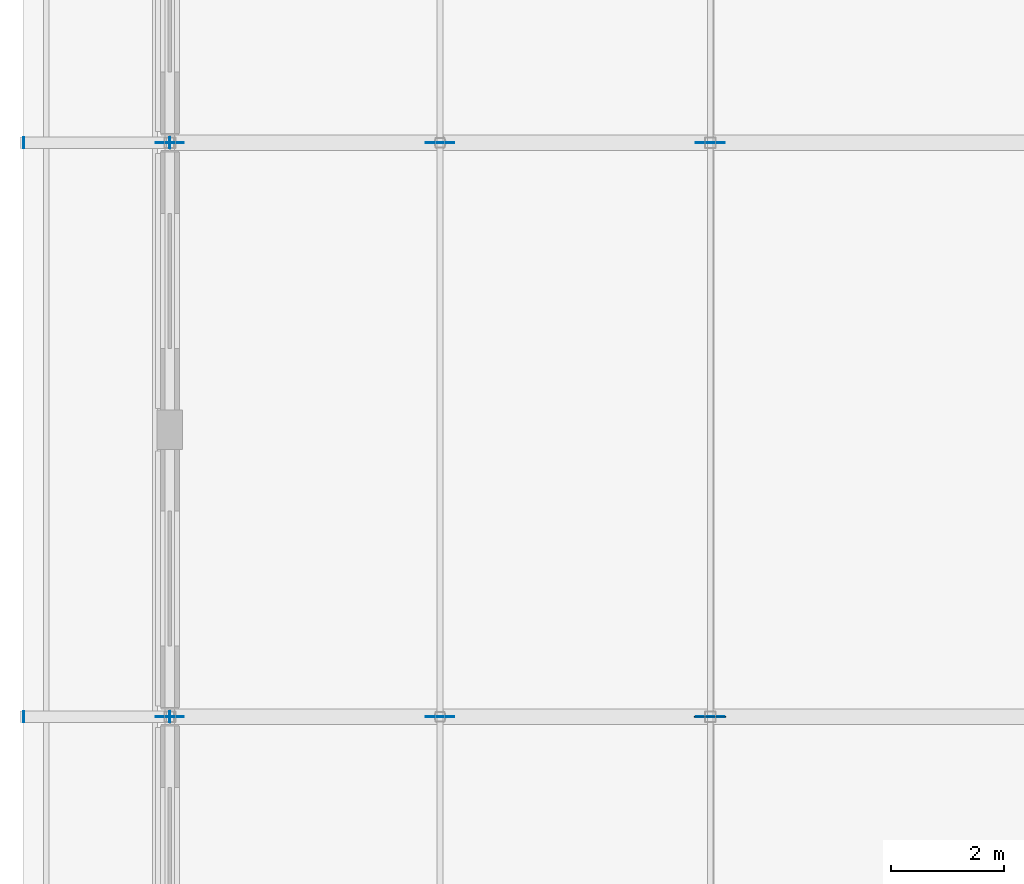
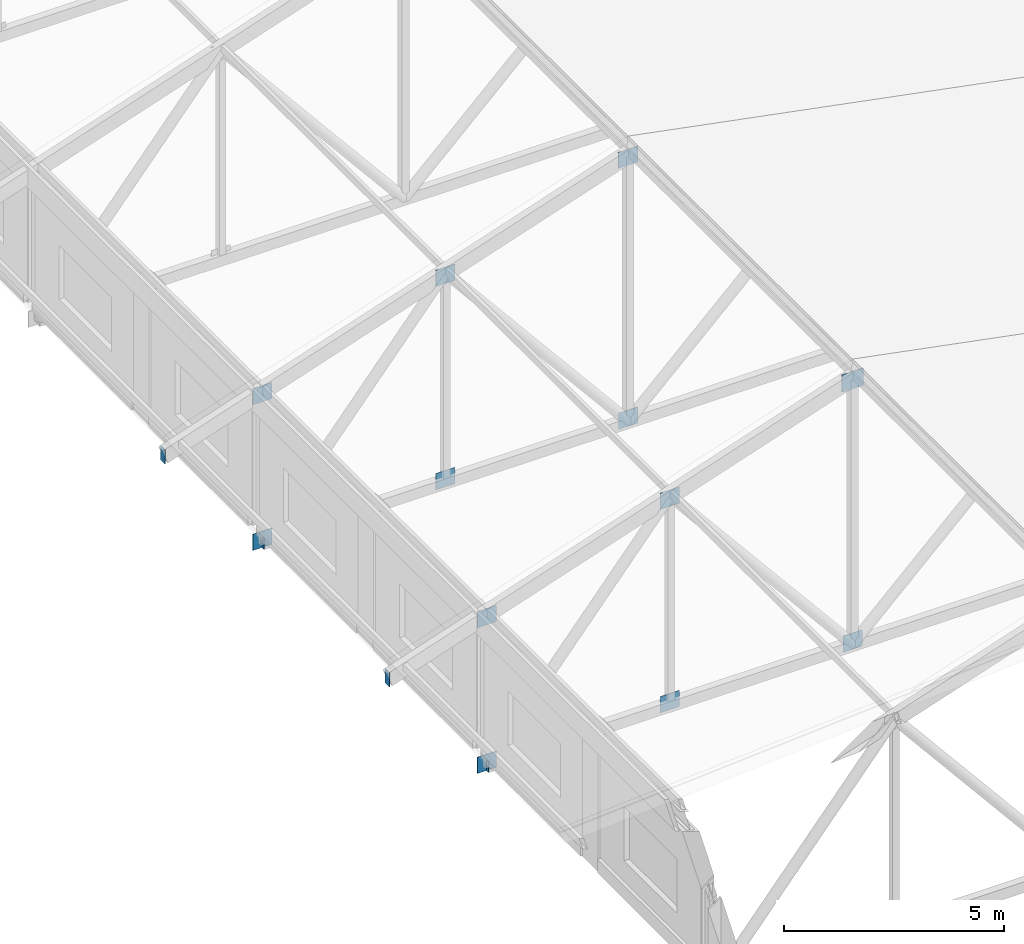
# One storey, part 155 of 200: 16 plates.
"""IFC4 building model written with IfcOpenShell, lengths in metres."""

from ifc_helpers import new_model, si_unit, direction, frame, origin, origin_2d, place, context, subcontext, project, spatial, rectangle, extrude, material, layer, layer_set, type_object, element, save


model = new_model("IFC4")

# Units and contexts
model_context = context("Model", 3, precision=1e-05, world=origin(), true_north=direction((0.0, 1.0)))
body_context = subcontext(model_context, "Body", "Model", "MODEL_VIEW")
ifc_project = project(units=[si_unit("LENGTHUNIT", "METRE"), si_unit("AREAUNIT", "SQUARE_METRE"), si_unit("VOLUMEUNIT", "CUBIC_METRE"), si_unit("PLANEANGLEUNIT", "RADIAN"), si_unit("MASSUNIT", "GRAM", prefix="KILO")], contexts=[model_context])

# Site, building, storey
site_placement = place(None, origin())
site = spatial("IfcSite", under=ifc_project, at=site_placement, CompositionType="ELEMENT")
building_placement = place(site_placement, origin())
building = spatial("IfcBuilding", under=site, at=building_placement, Name="Vondelvale Polytechnic", CompositionType="ELEMENT")
storey_placement = place(building_placement, frame((0.0, 0.0, 13.800048828125)))
storey = spatial("IfcBuildingStorey", under=building, at=storey_placement, Name="L03", CompositionType="ELEMENT", Elevation=13.800048828125)

# Plates
ifc_material = material(Name="Steel Grade 350 (fy = 340 MPa)", Category="steel")
ifc_layer_1 = layer(ifc_material, 0.01611328125)
ifc_layer_set_1 = layer_set([ifc_layer_1], Name="PLATE-CAP-300x200")
plate_type_1 = type_object("IfcPlateType", Name="PLATE-CAP-300x200", PredefinedType="USERDEFINED", material=ifc_layer_set_1)
for number, where, z_axis, x_axis, name in (
    (1, (0.0, 81.60009765625, -0.5703125), (0.0, 0.0, 1.0), (1.0, 0.0, 0.0), "ROOF TRUSS bottom chord cap plate W"),
    (2, (0.0, 91.800048828125, -0.5703125), (0.0, 0.0, 1.0), (1.0, 0.0, 0.0), "ROOF TRUSS bottom chord cap plate W"),
):
    element("IfcPlate", number, at=place(storey_placement, frame(where, z_axis=z_axis, x_axis=x_axis)), inside=storey, type_object=plate_type_1, Name=name, ObjectType="CAP_PLATE", PredefinedType="USERDEFINED", context=body_context, shape_type="SweptSolid", body=[
        extrude(rectangle(XDim=0.01611328125, YDim=0.199951171875, at=origin_2d()), origin(), (0.0, 0.0, 1.0), 0.300048828125),
    ])
ifc_layer_2 = layer(ifc_material, 0.01611328125)
ifc_layer_set_2 = layer_set([ifc_layer_2], Name="PLATE-CAP-400x200")
plate_type_2 = type_object("IfcPlateType", Name="PLATE-CAP-400x200", PredefinedType="USERDEFINED", material=ifc_layer_set_2)
for number, where, z_axis, x_axis, name in (
    (3, (-2.60009765625, 81.60009765625, 2.71337890625), (0.0, 0.0, 1.0), (1.0, 0.0, 0.0), "ROOF TRUSS hollow end cap plate W"),
    (4, (-2.60009765625, 91.800048828125, 2.71337890625), (0.0, 0.0, 1.0), (1.0, 0.0, 0.0), "ROOF TRUSS hollow end cap plate W"),
):
    element("IfcPlate", number, at=place(storey_placement, frame(where, z_axis=z_axis, x_axis=x_axis)), inside=storey, type_object=plate_type_2, Name=name, ObjectType="CAP_PLATE", PredefinedType="USERDEFINED", context=body_context, shape_type="SweptSolid", body=[
        extrude(rectangle(XDim=0.01611328125, YDim=0.199951171875, at=origin_2d()), origin(), (0.0, 0.0, 1.0), 0.39990234375),
    ])
ifc_layer_3 = layer(ifc_material, 0.01611328125)
ifc_layer_set_3 = layer_set([ifc_layer_3], Name="PLATE-GUSSET-16")
plate_type_3 = type_object("IfcPlateType", Name="PLATE-GUSSET-16", PredefinedType="USERDEFINED", material=ifc_layer_set_3)
for number, where, z_axis, x_axis, name in (
    (5, (0.0, 81.60009765625, 3.47509765625), (0.0, 0.0, 1.0), (1.0, 0.0, 0.0), "ROOF TRUSS top chord gusset node plate 0"),
    (6, (0.0, 81.60009765625, -0.56494140625), (0.0, 0.0, 1.0), (1.0, 0.0, 0.0), "ROOF TRUSS bottom chord gusset node plate 0"),
    (7, (4.800048828125, 81.60009765625, 5.0751953125), (0.0, 0.0, 1.0), (1.0, 0.0, 0.0), "ROOF TRUSS top chord gusset node plate 1"),
    (8, (4.800048828125, 81.60009765625, -0.56494140625), (0.0, 0.0, 1.0), (1.0, 0.0, 0.0), "ROOF TRUSS bottom chord gusset node plate 1"),
    (9, (9.60009765625, 81.60009765625, -0.56494140625), (0.0, 0.0, 1.0), (1.0, 0.0, 0.0), "ROOF TRUSS bottom chord gusset node plate 2"),
    (10, (0.0, 91.800048828125, 3.47509765625), (0.0, 0.0, 1.0), (1.0, 0.0, 0.0), "ROOF TRUSS top chord gusset node plate 0"),
    (11, (0.0, 91.800048828125, -0.56494140625), (0.0, 0.0, 1.0), (1.0, 0.0, 0.0), "ROOF TRUSS bottom chord gusset node plate 0"),
    (12, (4.800048828125, 91.800048828125, 5.0751953125), (0.0, 0.0, 1.0), (1.0, 0.0, 0.0), "ROOF TRUSS top chord gusset node plate 1"),
    (13, (4.800048828125, 91.800048828125, -0.56494140625), (0.0, 0.0, 1.0), (1.0, 0.0, 0.0), "ROOF TRUSS bottom chord gusset node plate 1"),
    (14, (9.60009765625, 91.800048828125, -0.56494140625), (0.0, 0.0, 1.0), (1.0, 0.0, 0.0), "ROOF TRUSS bottom chord gusset node plate 2"),
):
    element("IfcPlate", number, at=place(storey_placement, frame(where, z_axis=z_axis, x_axis=x_axis)), inside=storey, type_object=plate_type_3, Name=name, ObjectType="GUSSET_PLATE", PredefinedType="USERDEFINED", context=body_context, shape_type="SweptSolid", body=[
        extrude(rectangle(XDim=0.5, YDim=0.01611328125, at=origin_2d()), origin(), (0.0, 0.0, 1.0), 0.449951171875),
    ])
ifc_layer_4 = layer(ifc_material, 0.01806640625)
ifc_layer_set_4 = layer_set([ifc_layer_4], Name="PLATE-GUSSET-G04")
plate_type_4 = type_object("IfcPlateType", Name="PLATE-GUSSET-G04", PredefinedType="USERDEFINED", material=ifc_layer_set_4)
plate_1_placement = place(storey_placement, frame((9.60009765625, 81.60009765625, 6.659912109375), z_axis=(0.0, 0.0, 1.0), x_axis=(1.0, 0.0, 0.0)))
element("IfcPlate", 15, at=plate_1_placement, inside=storey, type_object=plate_type_4, Name="ROOF TRUSS top chord gusset node plate 2", ObjectType="GUSSET_PLATE", PredefinedType="USERDEFINED", context=body_context, shape_type="SweptSolid", body=[
    extrude(rectangle(XDim=0.56005859375, YDim=0.01806640625, at=origin_2d()), origin(), (0.0, 0.0, 1.0), 0.47998046875),
])
ifc_layer_5 = layer(ifc_material, 0.01611328125)
ifc_layer_set_5 = layer_set([ifc_layer_5], Name="PLATE-GUSSET-G05")
plate_type_5 = type_object("IfcPlateType", Name="PLATE-GUSSET-G05", PredefinedType="USERDEFINED", material=ifc_layer_set_5)
plate_2_placement = place(storey_placement, frame((9.60009765625, 91.800048828125, 6.679931640625), z_axis=(0.0, 0.0, 1.0), x_axis=(1.0, 0.0, 0.0)))
element("IfcPlate", 16, at=plate_2_placement, inside=storey, type_object=plate_type_5, Name="ROOF TRUSS top chord gusset node plate 2", ObjectType="GUSSET_PLATE", PredefinedType="USERDEFINED", context=body_context, shape_type="SweptSolid", body=[
    extrude(rectangle(XDim=0.52001953125, YDim=0.01611328125, at=origin_2d()), origin(), (0.0, 0.0, 1.0), 0.43994140625),
])

save(model, "model.ifc")
